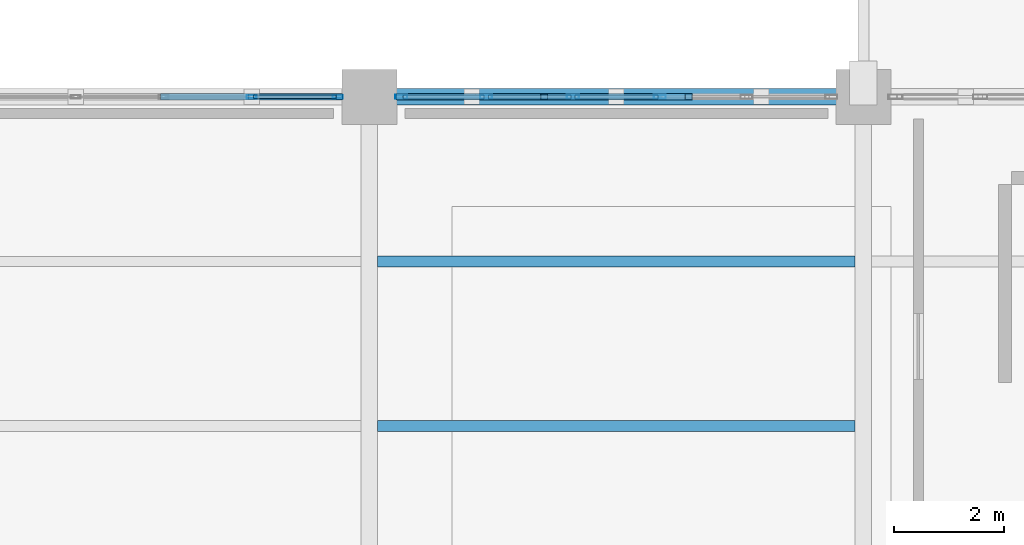
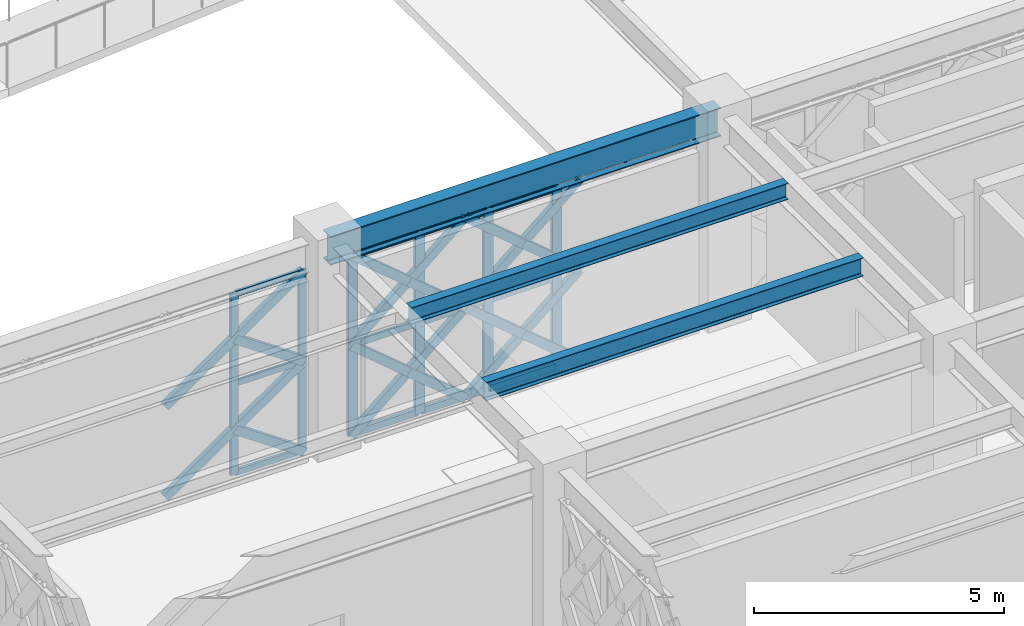
# One storey, part 14 of 140: 34 members, 3 beams, 2 elements without a shape of their own.
"""IFC4 building model written with IfcOpenShell, lengths in metres."""

import ifcopenshell
import ifcopenshell.guid

model = None  # the IFC model being written
_history = None  # IfcOwnerHistory: only IFC2X3 demands one
_inside = {}  # id of a spatial element -> (the spatial element, [elements in it])
_under = {}  # id of a project, library or spatial element -> (it, [spatial elements below it])
_declared = {}  # id of a project -> (the project, [libraries it declares])
_typed = {}  # id of a type object -> (the type object, [elements of that type])
_made_of = {}  # id of a material, layer set ... -> (it, [elements and type objects made of it])


def new_model(schema):
    """Start an empty IFC model of exactly this schema.

    Asked for "IFC4X3", IfcOpenShell would pick the latest addendum, in which some entities
    have other attributes; the version numbers below select the first issue.
    IFC2X3 requires an IfcOwnerHistory on every rooted entity: one is made here for all.
    """
    global model, _history
    if schema == "IFC4X3":
        model = ifcopenshell.file(schema_version=(4, 3, 0, 0))
    else:
        model = ifcopenshell.file(schema=schema)
    _inside.clear()
    _under.clear()
    _declared.clear()
    _typed.clear()
    _made_of.clear()
    _history = None
    if model.schema == "IFC2X3":
        org = make("IfcOrganization", Name="unknown")
        user = make(
            "IfcPersonAndOrganization",
            ThePerson=make("IfcPerson", FamilyName="unknown"),
            TheOrganization=org,
        )
        app = make(
            "IfcApplication",
            ApplicationDeveloper=org,
            Version="unknown",
            ApplicationFullName="unknown",
            ApplicationIdentifier="unknown",
        )
        _history = make(
            "IfcOwnerHistory",
            OwningUser=user,
            OwningApplication=app,
            ChangeAction="ADDED",
            CreationDate=0,
        )
    return model


def make(cls, **values):
    """One entity of the class cls with the attributes given. An attribute that is None is left unset."""
    return model.create_entity(
        cls, **{name: value for name, value in values.items() if value is not None}
    )


def rooted(cls, **values):
    """An entity with a GlobalId (a new one), such as an element, a storey or a relation."""
    return make(cls, GlobalId=ifcopenshell.guid.new(), OwnerHistory=_history, **values)


def si_unit(unit_type, name, prefix=None):
    """IfcSIUnit, for example si_unit("LENGTHUNIT", "METRE", prefix="MILLI")."""
    return make("IfcSIUnit", UnitType=unit_type, Prefix=prefix, Name=name)


def assignment(units):
    """IfcUnitAssignment: the units of a project."""
    return None if units is None else make("IfcUnitAssignment", Units=units)


def point(xyz):
    """IfcCartesianPoint."""
    return None if xyz is None else make("IfcCartesianPoint", Coordinates=xyz)


def direction(xyz):
    """IfcDirection."""
    return None if xyz is None else make("IfcDirection", DirectionRatios=xyz)


def frame(location, z_axis=None, x_axis=None):
    """IfcAxis2Placement3D, a coordinate frame: its origin and axes. An axis left out is left unset."""
    return make(
        "IfcAxis2Placement3D",
        Location=point(location),
        Axis=direction(z_axis),
        RefDirection=direction(x_axis),
    )


def frame_2d(location, x_axis=None):
    """IfcAxis2Placement2D, a coordinate frame in the plane: its origin and x axis."""
    return make(
        "IfcAxis2Placement2D", Location=point(location), RefDirection=direction(x_axis)
    )


def origin():
    """The frame at (0, 0, 0) with its axes left unset."""
    return frame((0.0, 0.0, 0.0))


def origin_2d():
    """The frame at (0, 0) in the plane with its x axis left unset."""
    return frame_2d((0.0, 0.0))


def place(relative_to, where):
    """IfcLocalPlacement: puts the frame where relative to a parent placement (None: the world)."""
    return make(
        "IfcLocalPlacement", PlacementRelTo=relative_to, RelativePlacement=where
    )


def context(
    kind, dimensions, precision=None, world=None, true_north=None, identifier=None
):
    """IfcGeometricRepresentationContext, for example the 3D "Model" context."""
    return make(
        "IfcGeometricRepresentationContext",
        ContextIdentifier=identifier,
        ContextType=kind,
        CoordinateSpaceDimension=dimensions,
        Precision=precision,
        WorldCoordinateSystem=world,
        TrueNorth=true_north,
    )


def subcontext(parent, identifier, kind, view, scale=None):
    """IfcGeometricRepresentationSubContext, for example "Body" below "Model"."""
    return make(
        "IfcGeometricRepresentationSubContext",
        ContextIdentifier=identifier,
        ContextType=kind,
        ParentContext=parent,
        TargetScale=scale,
        TargetView=view,
    )


def project(units=None, contexts=None):
    """IfcProject with its units and contexts."""
    return rooted(
        "IfcProject",
        Name="project",
        RepresentationContexts=contexts,
        UnitsInContext=assignment(units),
    )


def spatial(cls, under=None, at=None, **own):
    """A site, building, storey or space (cls), placed at a placement, below another one or the project."""
    s = rooted(cls, ObjectPlacement=at, **own)
    if under is not None:
        _under.setdefault(under.id(), (under, []))[1].append(s)
    return s


def profile(cls, at=None, kind="AREA", **sizes):
    """A parametric profile (cls). Its sizes go by their IFC names, for example OverallWidth=200.0."""
    return make(cls, ProfileType=kind, Position=at, **sizes)


def hollow_rectangle(**sizes):
    """IfcRectangleHollowProfileDef."""
    return profile("IfcRectangleHollowProfileDef", **sizes)


def i_section(**sizes):
    """IfcIShapeProfileDef."""
    return profile("IfcIShapeProfileDef", **sizes)


def extrude(swept, where, along, depth):
    """IfcExtrudedAreaSolid: the profile swept, set in the frame where, extruded along a direction by depth."""
    return make(
        "IfcExtrudedAreaSolid",
        SweptArea=swept,
        Position=where,
        ExtrudedDirection=direction(along),
        Depth=depth,
    )


def shape(context_of_items, identifier, shape_type, items):
    """IfcShapeRepresentation: the items that make up one representation, for example the "Body"."""
    return make(
        "IfcShapeRepresentation",
        ContextOfItems=context_of_items,
        RepresentationIdentifier=identifier,
        RepresentationType=shape_type,
        Items=items,
    )


def material(Name=None, Category=None):
    """IfcMaterial."""
    return make("IfcMaterial", Name=Name, Category=Category)


def material_profile(
    of_material, cross_section, Name=None, Category=None, Priority=None
):
    """IfcMaterialProfile: a cross section and its material."""
    return make(
        "IfcMaterialProfile",
        Name=Name,
        Material=of_material,
        Profile=cross_section,
        Priority=Priority,
        Category=Category,
    )


def profile_set(profiles, Name=None, composite=None):
    """IfcMaterialProfileSet."""
    return make(
        "IfcMaterialProfileSet",
        Name=Name,
        MaterialProfiles=profiles,
        CompositeProfile=composite,
    )


def made_of(thing, what):
    """Note that an element or type object is made of a material, layer set ...; save() writes the relation."""
    if what is not None:
        _made_of.setdefault(what.id(), (what, []))[1].append(thing)
    return thing


def type_object(cls, material=None, **own):
    """A type object (cls), such as IfcWallType, which elements share."""
    return made_of(rooted(cls, **own), material)


def element(
    cls,
    number,
    at=None,
    inside=None,
    cuts=None,
    type_object=None,
    material=None,
    context=None,
    identifier="Body",
    shape_type=None,
    held_by="IfcProductDefinitionShape",
    body=None,
    shapes=None,
    **own,
):
    """One element of the class cls, such as IfcWall. Its Tag is "e" and its number.

    at: its placement. inside: the storey or other place that contains it. cuts: it is an
    opening in that element (IfcRelVoidsElement). A single representation is given by context,
    identifier, shape_type and body (its items); several are given by shapes. held_by: the class
    of the entity that holds the representations. save() writes the other relations.
    """
    e = rooted(cls, Tag="e%d" % number, ObjectPlacement=at, **own)
    if body is not None:
        shapes = [shape(context, identifier, shape_type, body)]
    if shapes is not None:
        e.Representation = make(held_by, Representations=shapes)
    if inside is not None:
        _inside.setdefault(inside.id(), (inside, []))[1].append(e)
    if cuts is not None:
        rooted(
            "IfcRelVoidsElement", RelatingBuildingElement=cuts, RelatedOpeningElement=e
        )
    if type_object is not None:
        _typed.setdefault(type_object.id(), (type_object, []))[1].append(e)
    return made_of(e, material)


def aggregate(whole, parts):
    """IfcRelAggregates: a whole, such as a stair, and the parts it consists of."""
    return rooted("IfcRelAggregates", RelatingObject=whole, RelatedObjects=parts)


def save(model, path):
    """Write the relations noted so far, then the file.

    IfcRelAggregates (storeys below a building ...), IfcRelContainedInSpatialStructure (elements
    in a storey), IfcRelDefinesByType, IfcRelAssociatesMaterial and IfcRelDeclares: one each for
    every whole, place, type object, material and project.
    """
    for whole, parts in _under.values():
        aggregate(whole, parts)
    for where, things in _inside.values():
        rooted(
            "IfcRelContainedInSpatialStructure",
            RelatedElements=things,
            RelatingStructure=where,
        )
    for kind, things in _typed.values():
        rooted("IfcRelDefinesByType", RelatedObjects=things, RelatingType=kind)
    for what, things in _made_of.values():
        rooted("IfcRelAssociatesMaterial", RelatedObjects=things, RelatingMaterial=what)
    for by, libraries in _declared.values():
        rooted("IfcRelDeclares", RelatingContext=by, RelatedDefinitions=libraries)
    model.write(path)


model = new_model("IFC4")

# Units and contexts
model_context = context("Model", 3, precision=1e-05, world=origin(), true_north=direction((0.0, 1.0)))
body_context = subcontext(model_context, "Body", "Model", "MODEL_VIEW")
ifc_project = project(units=[si_unit("LENGTHUNIT", "METRE"), si_unit("AREAUNIT", "SQUARE_METRE"), si_unit("VOLUMEUNIT", "CUBIC_METRE"), si_unit("PLANEANGLEUNIT", "RADIAN"), si_unit("MASSUNIT", "GRAM", prefix="KILO")], contexts=[model_context])

# Site, building, storey
site_placement = place(None, origin())
site = spatial("IfcSite", under=ifc_project, at=site_placement, CompositionType="ELEMENT")
building_placement = place(site_placement, origin())
building = spatial("IfcBuilding", under=site, at=building_placement, Name="Haizhuo Lancet Aquarium", CompositionType="ELEMENT")
storey_placement = place(building_placement, origin())
storey = spatial("IfcBuildingStorey", under=building, at=storey_placement, Name="L00", CompositionType="ELEMENT", Elevation=0.0)

# Beam
ifc_material_1 = material(Name="Steel S355", Category="steel")
ifc_material_profile_1 = material_profile(ifc_material_1, i_section(OverallWidth=0.300048828125, OverallDepth=0.699951171875, WebThickness=0.012939453125, FlangeThickness=0.02392578125, FilletRadius=0.02587890625, at=origin_2d()), Name="HN 700x300x13x24")
ifc_profile_set_1 = profile_set([ifc_material_profile_1], Name="Steel S355")
beam_type_1 = type_object("IfcBeamType", Name="BM-ST-HN700", PredefinedType="BEAM", material=ifc_profile_set_1)
beam_1_placement = place(storey_placement, frame((-72.0, -9.0, 4.77001953125), z_axis=(1.0, 0.0, 0.0), x_axis=(0.0, 1.0, 0.0)))
element("IfcBeam", 1, at=beam_1_placement, inside=storey, type_object=beam_type_1, Name="L00 V6 primary girder BM-L00-V6-008", PredefinedType="BEAM", context=body_context, shape_type="SweptSolid", body=[
    extrude(i_section(OverallWidth=0.300048828125, OverallDepth=0.699951171875, WebThickness=0.012939453125, FlangeThickness=0.02392578125, FilletRadius=0.02587890625, at=origin_2d()), origin(), (0.0, 0.0, 1.0), 9.0),
])

# Curtain wall, members
ifc_material_2 = material(Name="Aluminium 6063-T6", Category="aluminium")
curtain_wall_type_1 = type_object("IfcCurtainWallType", Name="CWO-9610x4420", PredefinedType="NOTDEFINED", material=ifc_material_2)
curtain_wall_1_placement = place(storey_placement, origin())
curtain_wall_1 = element("IfcCurtainWall", 2, at=curtain_wall_1_placement, inside=storey, type_object=curtain_wall_type_1, Name="L00 curtain wall CW-V6-L00-193", PredefinedType="NOTDEFINED")
ifc_material_profile_2 = material_profile(ifc_material_2, hollow_rectangle(XDim=0.06494140625, YDim=0.179931640625, WallThickness=0.00390625, at=origin_2d()), Name="ALU-M 65x180x4")
ifc_profile_set_2 = profile_set([ifc_material_profile_2], Name="Aluminium 6063-T6")
member_type_1 = type_object("IfcMemberType", Name="CW-MUL-1", PredefinedType="MULLION", material=ifc_profile_set_2)
member_1_placement = place(storey_placement, frame((-74.14697265625, -9.0, 0.0), z_axis=(0.0, 0.0, 1.0), x_axis=(0.0, 1.0, 0.0)))
member_1 = element("IfcMember", 3, at=member_1_placement, type_object=member_type_1, Name="CWO-96x44 mullion 6", PredefinedType="MULLION", context=body_context, shape_type="SweptSolid", body=[
    extrude(hollow_rectangle(XDim=0.06494140625, YDim=0.179931640625, WallThickness=0.00390625, at=origin_2d()), origin(), (0.0, 0.0, 1.0), 4.419921875),
])
member_2_placement = place(storey_placement, frame((-72.577880859375, -9.0, 0.0), z_axis=(0.0, 0.0, 1.0), x_axis=(0.0, 1.0, 0.0)))
member_2 = element("IfcMember", 4, at=member_2_placement, type_object=member_type_1, Name="CWO-96x44 mullion 7", PredefinedType="MULLION", context=body_context, shape_type="SweptSolid", body=[
    extrude(hollow_rectangle(XDim=0.06494140625, YDim=0.179931640625, WallThickness=0.00390625, at=origin_2d()), origin(), (0.0, 0.0, 1.0), 4.419921875),
])

curtain_wall_type_2 = type_object("IfcCurtainWallType", Name="CWO-7910x4420", PredefinedType="NOTDEFINED", material=ifc_material_2)
curtain_wall_2_placement = place(storey_placement, origin())
curtain_wall_2 = element("IfcCurtainWall", 5, at=curtain_wall_2_placement, inside=storey, type_object=curtain_wall_type_2, Name="L00 curtain wall CW-V6-L00-194", PredefinedType="NOTDEFINED")
ifc_material_profile_3 = material_profile(ifc_material_2, hollow_rectangle(XDim=0.074951171875, YDim=0.219970703125, WallThickness=0.0048828125, at=origin_2d()), Name="ALU-M 75x220x5")
ifc_profile_set_3 = profile_set([ifc_material_profile_3], Name="Aluminium 6063-T6")
member_type_2 = type_object("IfcMemberType", Name="CW-MUL-2", PredefinedType="MULLION", material=ifc_profile_set_3)
member_3_placement = place(storey_placement, frame((-71.41796875, -9.0, 0.0), z_axis=(0.0, 0.0, 1.0), x_axis=(0.0, 1.0, 0.0)))
member_3 = element("IfcMember", 6, at=member_3_placement, type_object=member_type_2, Name="CWO-79x44 mullion 1", PredefinedType="MULLION", context=body_context, shape_type="SweptSolid", body=[
    extrude(hollow_rectangle(XDim=0.074951171875, YDim=0.219970703125, WallThickness=0.0048828125, at=origin_2d()), origin(), (0.0, 0.0, 1.0), 4.419921875),
])
member_4_placement = place(storey_placement, frame((-69.873046875, -9.0, 0.0), z_axis=(0.0, 0.0, 1.0), x_axis=(0.0, 1.0, 0.0)))
member_4 = element("IfcMember", 7, at=member_4_placement, type_object=member_type_2, Name="CWO-79x44 mullion 2", PredefinedType="MULLION", context=body_context, shape_type="SweptSolid", body=[
    extrude(hollow_rectangle(XDim=0.074951171875, YDim=0.219970703125, WallThickness=0.0048828125, at=origin_2d()), origin(), (0.0, 0.0, 1.0), 4.419921875),
])
member_5_placement = place(storey_placement, frame((-68.291015625, -9.0, 0.0), z_axis=(0.0, 0.0, 1.0), x_axis=(0.0, 1.0, 0.0)))
member_5 = element("IfcMember", 8, at=member_5_placement, type_object=member_type_2, Name="CWO-79x44 mullion 3", PredefinedType="MULLION", context=body_context, shape_type="SweptSolid", body=[
    extrude(hollow_rectangle(XDim=0.074951171875, YDim=0.219970703125, WallThickness=0.0048828125, at=origin_2d()), origin(), (0.0, 0.0, 1.0), 4.419921875),
])
member_6_placement = place(storey_placement, frame((-66.708984375, -9.0, 0.0), z_axis=(0.0, 0.0, 1.0), x_axis=(0.0, 1.0, 0.0)))
member_6 = element("IfcMember", 9, at=member_6_placement, type_object=member_type_2, Name="CWO-79x44 mullion 4", PredefinedType="MULLION", context=body_context, shape_type="SweptSolid", body=[
    extrude(hollow_rectangle(XDim=0.074951171875, YDim=0.219970703125, WallThickness=0.0048828125, at=origin_2d()), origin(), (0.0, 0.0, 1.0), 4.419921875),
])

# Member
ifc_material_profile_4 = material_profile(ifc_material_2, hollow_rectangle(XDim=0.06494140625, YDim=0.139892578125, WallThickness=0.00390625, at=origin_2d()), Name="ALU-T 65x140x4")
ifc_profile_set_4 = profile_set([ifc_material_profile_4], Name="Aluminium 6063-T6")
member_type_3 = type_object("IfcMemberType", Name="CW-TRN-1", PredefinedType="NOTDEFINED", material=ifc_profile_set_4)
member_7_placement = place(storey_placement, frame((-74.114013671875, -9.0, 0.032958984375), z_axis=(1.0, 0.0, 0.0), x_axis=(0.0, 1.0, 0.0)))
member_7 = element("IfcMember", 10, at=member_7_placement, type_object=member_type_3, Name="CWO-96x44 transom 6.1", ObjectType="TRANSOM", PredefinedType="USERDEFINED", context=body_context, shape_type="SweptSolid", body=[
    extrude(hollow_rectangle(XDim=0.06494140625, YDim=0.139892578125, WallThickness=0.00390625, at=origin_2d()), origin(), (0.0, 0.0, 1.0), 1.50390625),
])

member_8_placement = place(storey_placement, frame((-74.114013671875, -9.0, 2.2099609375), z_axis=(1.0, 0.0, 0.0), x_axis=(0.0, 1.0, 0.0)))
member_8 = element("IfcMember", 11, at=member_8_placement, type_object=member_type_3, Name="CWO-96x44 transom 6.2", ObjectType="TRANSOM", PredefinedType="USERDEFINED", context=body_context, shape_type="SweptSolid", body=[
    extrude(hollow_rectangle(XDim=0.06494140625, YDim=0.139892578125, WallThickness=0.00390625, at=origin_2d()), origin(), (0.0, 0.0, 1.0), 1.50390625),
])

member_9_placement = place(storey_placement, frame((-74.114013671875, -9.0, 4.387939453125), z_axis=(1.0, 0.0, 0.0), x_axis=(0.0, 1.0, 0.0)))
member_9 = element("IfcMember", 12, at=member_9_placement, type_object=member_type_3, Name="CWO-96x44 transom 6.3", ObjectType="TRANSOM", PredefinedType="USERDEFINED", context=body_context, shape_type="SweptSolid", body=[
    extrude(hollow_rectangle(XDim=0.06494140625, YDim=0.139892578125, WallThickness=0.00390625, at=origin_2d()), origin(), (0.0, 0.0, 1.0), 1.50390625),
])

aggregate(curtain_wall_1, [member_1, member_2, member_7, member_8, member_9])

ifc_material_profile_5 = material_profile(ifc_material_2, hollow_rectangle(XDim=0.074951171875, YDim=0.159912109375, WallThickness=0.00390625, at=origin_2d()), Name="ALU-T 75x160x4")
ifc_profile_set_5 = profile_set([ifc_material_profile_5], Name="Aluminium 6063-T6")
member_type_4 = type_object("IfcMemberType", Name="CW-TRN-2", PredefinedType="NOTDEFINED", material=ifc_profile_set_5)
member_10_placement = place(storey_placement, frame((-71.3798828125, -9.0, 0.037109375), z_axis=(1.0, 0.0, 0.0), x_axis=(0.0, 1.0, 0.0)))
member_10 = element("IfcMember", 13, at=member_10_placement, type_object=member_type_4, Name="CWO-79x44 transom 1.1", ObjectType="TRANSOM", PredefinedType="USERDEFINED", context=body_context, shape_type="SweptSolid", body=[
    extrude(hollow_rectangle(XDim=0.074951171875, YDim=0.159912109375, WallThickness=0.00390625, at=origin_2d()), origin(), (0.0, 0.0, 1.0), 1.469970703125),
])

member_11_placement = place(storey_placement, frame((-71.3798828125, -9.0, 2.2099609375), z_axis=(1.0, 0.0, 0.0), x_axis=(0.0, 1.0, 0.0)))
member_11 = element("IfcMember", 14, at=member_11_placement, type_object=member_type_4, Name="CWO-79x44 transom 1.2", ObjectType="TRANSOM", PredefinedType="USERDEFINED", context=body_context, shape_type="SweptSolid", body=[
    extrude(hollow_rectangle(XDim=0.074951171875, YDim=0.159912109375, WallThickness=0.00390625, at=origin_2d()), origin(), (0.0, 0.0, 1.0), 1.469970703125),
])

member_12_placement = place(storey_placement, frame((-71.3798828125, -9.0, 4.383056640625), z_axis=(1.0, 0.0, 0.0), x_axis=(0.0, 1.0, 0.0)))
member_12 = element("IfcMember", 15, at=member_12_placement, type_object=member_type_4, Name="CWO-79x44 transom 1.3", ObjectType="TRANSOM", PredefinedType="USERDEFINED", context=body_context, shape_type="SweptSolid", body=[
    extrude(hollow_rectangle(XDim=0.074951171875, YDim=0.159912109375, WallThickness=0.00390625, at=origin_2d()), origin(), (0.0, 0.0, 1.0), 1.469970703125),
])

member_13_placement = place(storey_placement, frame((-69.8349609375, -9.0, 0.037109375), z_axis=(1.0, 0.0, 0.0), x_axis=(0.0, 1.0, 0.0)))
member_13 = element("IfcMember", 16, at=member_13_placement, type_object=member_type_4, Name="CWO-79x44 transom 2.1", ObjectType="TRANSOM", PredefinedType="USERDEFINED", context=body_context, shape_type="SweptSolid", body=[
    extrude(hollow_rectangle(XDim=0.074951171875, YDim=0.159912109375, WallThickness=0.00390625, at=origin_2d()), origin(), (0.0, 0.0, 1.0), 1.505859375),
])

member_14_placement = place(storey_placement, frame((-69.8349609375, -9.0, 2.2099609375), z_axis=(1.0, 0.0, 0.0), x_axis=(0.0, 1.0, 0.0)))
member_14 = element("IfcMember", 17, at=member_14_placement, type_object=member_type_4, Name="CWO-79x44 transom 2.2", ObjectType="TRANSOM", PredefinedType="USERDEFINED", context=body_context, shape_type="SweptSolid", body=[
    extrude(hollow_rectangle(XDim=0.074951171875, YDim=0.159912109375, WallThickness=0.00390625, at=origin_2d()), origin(), (0.0, 0.0, 1.0), 1.505859375),
])

member_15_placement = place(storey_placement, frame((-69.8349609375, -9.0, 4.383056640625), z_axis=(1.0, 0.0, 0.0), x_axis=(0.0, 1.0, 0.0)))
member_15 = element("IfcMember", 18, at=member_15_placement, type_object=member_type_4, Name="CWO-79x44 transom 2.3", ObjectType="TRANSOM", PredefinedType="USERDEFINED", context=body_context, shape_type="SweptSolid", body=[
    extrude(hollow_rectangle(XDim=0.074951171875, YDim=0.159912109375, WallThickness=0.00390625, at=origin_2d()), origin(), (0.0, 0.0, 1.0), 1.505859375),
])

member_16_placement = place(storey_placement, frame((-68.25390625, -9.0, 0.037109375), z_axis=(1.0, 0.0, 0.0), x_axis=(0.0, 1.0, 0.0)))
member_16 = element("IfcMember", 19, at=member_16_placement, type_object=member_type_4, Name="CWO-79x44 transom 3.1", ObjectType="TRANSOM", PredefinedType="USERDEFINED", context=body_context, shape_type="SweptSolid", body=[
    extrude(hollow_rectangle(XDim=0.074951171875, YDim=0.159912109375, WallThickness=0.00390625, at=origin_2d()), origin(), (0.0, 0.0, 1.0), 1.5078125),
])

member_17_placement = place(storey_placement, frame((-68.25390625, -9.0, 2.2099609375), z_axis=(1.0, 0.0, 0.0), x_axis=(0.0, 1.0, 0.0)))
member_17 = element("IfcMember", 20, at=member_17_placement, type_object=member_type_4, Name="CWO-79x44 transom 3.2", ObjectType="TRANSOM", PredefinedType="USERDEFINED", context=body_context, shape_type="SweptSolid", body=[
    extrude(hollow_rectangle(XDim=0.074951171875, YDim=0.159912109375, WallThickness=0.00390625, at=origin_2d()), origin(), (0.0, 0.0, 1.0), 1.5078125),
])

member_18_placement = place(storey_placement, frame((-68.25390625, -9.0, 4.383056640625), z_axis=(1.0, 0.0, 0.0), x_axis=(0.0, 1.0, 0.0)))
member_18 = element("IfcMember", 21, at=member_18_placement, type_object=member_type_4, Name="CWO-79x44 transom 3.3", ObjectType="TRANSOM", PredefinedType="USERDEFINED", context=body_context, shape_type="SweptSolid", body=[
    extrude(hollow_rectangle(XDim=0.074951171875, YDim=0.159912109375, WallThickness=0.00390625, at=origin_2d()), origin(), (0.0, 0.0, 1.0), 1.5078125),
])

aggregate(curtain_wall_2, [member_3, member_4, member_5, member_6, member_10, member_11, member_12, member_13, member_14, member_15, member_16, member_17, member_18])

# Beams
ifc_material_profile_6 = material_profile(ifc_material_1, i_section(OverallWidth=0.199951171875, OverallDepth=0.39990234375, WebThickness=0.008056640625, FlangeThickness=0.012939453125, FilletRadius=0.01611328125, at=origin_2d()), Name="HN 400x200x8x13")
ifc_profile_set_6 = profile_set([ifc_material_profile_6], Name="Steel S355")
beam_type_2 = type_object("IfcBeamType", Name="JST-ST-HN400", PredefinedType="JOIST", material=ifc_profile_set_6)
beam_2_placement = place(storey_placement, frame((-71.85009765625, -12.0, 4.919921875), z_axis=(1.0, 0.0, 0.0), x_axis=(0.0, 1.0, 0.0)))
element("IfcBeam", 22, at=beam_2_placement, inside=storey, type_object=beam_type_2, Name="L00 V6 secondary floor joist 6", PredefinedType="JOIST", context=body_context, shape_type="SweptSolid", body=[
    extrude(i_section(OverallWidth=0.199951171875, OverallDepth=0.39990234375, WebThickness=0.008056640625, FlangeThickness=0.012939453125, FilletRadius=0.01611328125, at=origin_2d()), origin(), (0.0, 0.0, 1.0), 8.7001953125),
])
ifc_material_profile_7 = material_profile(ifc_material_1, i_section(OverallWidth=0.199951171875, OverallDepth=0.449951171875, WebThickness=0.009033203125, FlangeThickness=0.013916015625, FilletRadius=0.01806640625, at=origin_2d()), Name="HN 450x200x9x14")
ifc_profile_set_7 = profile_set([ifc_material_profile_7], Name="Steel S355")
beam_type_3 = type_object("IfcBeamType", Name="JST-ST-HN450", PredefinedType="JOIST", material=ifc_profile_set_7)
beam_3_placement = place(storey_placement, frame((-71.85009765625, -15.0, 4.89501953125), z_axis=(1.0, 0.0, 0.0), x_axis=(0.0, 1.0, 0.0)))
element("IfcBeam", 23, at=beam_3_placement, inside=storey, type_object=beam_type_3, Name="L00 V6 secondary floor joist 5", PredefinedType="JOIST", context=body_context, shape_type="SweptSolid", body=[
    extrude(i_section(OverallWidth=0.199951171875, OverallDepth=0.449951171875, WebThickness=0.009033203125, FlangeThickness=0.013916015625, FilletRadius=0.01806640625, at=origin_2d()), origin(), (0.0, 0.0, 1.0), 8.7001953125),
])

# Members
ifc_material_profile_8 = material_profile(ifc_material_1, hollow_rectangle(XDim=0.1201171875, YDim=0.199951171875, WallThickness=0.008056640625, at=origin_2d()), Name="RHS 120x200x8")
ifc_profile_set_8 = profile_set([ifc_material_profile_8], Name="Steel S355")
member_type_5 = type_object("IfcMemberType", Name="MEM-LB-RHS120x200", PredefinedType="BRACE", material=ifc_profile_set_8)
member_19_placement = place(storey_placement, frame((-75.748046875, -9.0, 0.0), z_axis=(0.823103575721, 0.0, 0.567891278005), x_axis=(0.0, 1.0, 0.0)))
element("IfcMember", 24, at=member_19_placement, inside=storey, type_object=member_type_5, Name="Gothic lancet continuous diagonal brace CW-V6-L00-193 5A", PredefinedType="BRACE", context=body_context, shape_type="SweptSolid", body=[
    extrude(hollow_rectangle(XDim=0.1201171875, YDim=0.199951171875, WallThickness=0.008056640625, at=origin_2d()), origin(), (0.0, 0.0, 1.0), 3.8916015625),
])
member_20_placement = place(storey_placement, frame((-72.544921875, -9.0, 0.0), z_axis=(-0.823184480933, 0.0, 0.56777399584), x_axis=(0.0, -1.0, 0.0)))
element("IfcMember", 25, at=member_20_placement, inside=storey, type_object=member_type_5, Name="Gothic lancet split diagonal brace CW-V6-L00-193 5B1", PredefinedType="BRACE", context=body_context, shape_type="SweptSolid", body=[
    extrude(hollow_rectangle(XDim=0.1201171875, YDim=0.199951171875, WallThickness=0.008056640625, at=origin_2d()), origin(), (0.0, 0.0, 1.0), 1.946044921875),
])
member_21_placement = place(storey_placement, frame((-75.748046875, -9.0, 2.2099609375), z_axis=(0.823103575721, 0.0, 0.567891278005), x_axis=(0.0, 1.0, 0.0)))
element("IfcMember", 26, at=member_21_placement, inside=storey, type_object=member_type_5, Name="Gothic lancet continuous diagonal brace CW-V6-L00-193 6A", PredefinedType="BRACE", context=body_context, shape_type="SweptSolid", body=[
    extrude(hollow_rectangle(XDim=0.1201171875, YDim=0.199951171875, WallThickness=0.008056640625, at=origin_2d()), origin(), (0.0, 0.0, 1.0), 3.8916015625),
])
member_22_placement = place(storey_placement, frame((-72.544921875, -9.0, 2.2099609375), z_axis=(-0.823184480933, 0.0, 0.56777399584), x_axis=(0.0, -1.0, 0.0)))
element("IfcMember", 27, at=member_22_placement, inside=storey, type_object=member_type_5, Name="Gothic lancet split diagonal brace CW-V6-L00-193 6B1", PredefinedType="BRACE", context=body_context, shape_type="SweptSolid", body=[
    extrude(hollow_rectangle(XDim=0.1201171875, YDim=0.199951171875, WallThickness=0.008056640625, at=origin_2d()), origin(), (0.0, 0.0, 1.0), 1.946044921875),
])
member_23_placement = place(storey_placement, frame((-71.455078125, -9.0, 0.0), z_axis=(0.766432673157, 0.0, 0.642324651182), x_axis=(0.0, 1.0, 0.0)))
element("IfcMember", 28, at=member_23_placement, inside=storey, type_object=member_type_5, Name="Gothic lancet continuous diagonal brace CW-V6-L00-194 1A", PredefinedType="BRACE", context=body_context, shape_type="SweptSolid", body=[
    extrude(hollow_rectangle(XDim=0.1201171875, YDim=0.199951171875, WallThickness=0.008056640625, at=origin_2d()), origin(), (0.0, 0.0, 1.0), 3.440673828125),
])
member_24_placement = place(storey_placement, frame((-68.818115234375, -9.0, 0.0), z_axis=(-0.766286230908, 0.0, 0.642499348109), x_axis=(0.0, -1.0, 0.0)))
element("IfcMember", 29, at=member_24_placement, inside=storey, type_object=member_type_5, Name="Gothic lancet split diagonal brace CW-V6-L00-194 1B1", PredefinedType="BRACE", context=body_context, shape_type="SweptSolid", body=[
    extrude(hollow_rectangle(XDim=0.1201171875, YDim=0.199951171875, WallThickness=0.008056640625, at=origin_2d()), origin(), (0.0, 0.0, 1.0), 1.7197265625),
])
member_25_placement = place(storey_placement, frame((-70.135986328125, -9.0, 1.10498046875), z_axis=(-0.76657899599, 0.0, 0.64215001589), x_axis=(0.0, -1.0, 0.0)))
element("IfcMember", 30, at=member_25_placement, inside=storey, type_object=member_type_5, Name="Gothic lancet split diagonal brace CW-V6-L00-194 1B2", PredefinedType="BRACE", context=body_context, shape_type="SweptSolid", body=[
    extrude(hollow_rectangle(XDim=0.1201171875, YDim=0.199951171875, WallThickness=0.008056640625, at=origin_2d()), origin(), (0.0, 0.0, 1.0), 1.720703125),
])
member_26_placement = place(storey_placement, frame((-71.455078125, -9.0, 2.2099609375), z_axis=(0.766432673157, 0.0, 0.642324651182), x_axis=(0.0, 1.0, 0.0)))
element("IfcMember", 31, at=member_26_placement, inside=storey, type_object=member_type_5, Name="Gothic lancet continuous diagonal brace CW-V6-L00-194 2A", PredefinedType="BRACE", context=body_context, shape_type="SweptSolid", body=[
    extrude(hollow_rectangle(XDim=0.1201171875, YDim=0.199951171875, WallThickness=0.008056640625, at=origin_2d()), origin(), (0.0, 0.0, 1.0), 3.440673828125),
])
member_27_placement = place(storey_placement, frame((-68.818115234375, -9.0, 2.2099609375), z_axis=(-0.766286230908, 0.0, 0.642499348109), x_axis=(0.0, -1.0, 0.0)))
element("IfcMember", 32, at=member_27_placement, inside=storey, type_object=member_type_5, Name="Gothic lancet split diagonal brace CW-V6-L00-194 2B1", PredefinedType="BRACE", context=body_context, shape_type="SweptSolid", body=[
    extrude(hollow_rectangle(XDim=0.1201171875, YDim=0.199951171875, WallThickness=0.008056640625, at=origin_2d()), origin(), (0.0, 0.0, 1.0), 1.7197265625),
])
member_28_placement = place(storey_placement, frame((-70.135986328125, -9.0, 3.31494140625), z_axis=(-0.76657899599, 0.0, 0.64215001589), x_axis=(0.0, -1.0, 0.0)))
element("IfcMember", 33, at=member_28_placement, inside=storey, type_object=member_type_5, Name="Gothic lancet split diagonal brace CW-V6-L00-194 2B2", PredefinedType="BRACE", context=body_context, shape_type="SweptSolid", body=[
    extrude(hollow_rectangle(XDim=0.1201171875, YDim=0.199951171875, WallThickness=0.008056640625, at=origin_2d()), origin(), (0.0, 0.0, 1.0), 1.720703125),
])
member_29_placement = place(storey_placement, frame((-68.818115234375, -9.0, 0.0), z_axis=(0.766344822145, 0.0, 0.642429461943), x_axis=(0.0, 1.0, 0.0)))
element("IfcMember", 34, at=member_29_placement, inside=storey, type_object=member_type_5, Name="Gothic lancet continuous diagonal brace CW-V6-L00-194 3A", PredefinedType="BRACE", context=body_context, shape_type="SweptSolid", body=[
    extrude(hollow_rectangle(XDim=0.1201171875, YDim=0.199951171875, WallThickness=0.008056640625, at=origin_2d()), origin(), (0.0, 0.0, 1.0), 3.43994140625),
])
for number, where, z_axis, x_axis, name in (
    (35, (-66.181884765625, -9.0, 0.0), (-0.766344822145, 0.0, 0.642429461943), (0.0, -1.0, 0.0), "Gothic lancet split diagonal brace CW-V6-L00-194 3B1"),
    (36, (-67.5, -9.0, 1.10498046875), (-0.766344822145, 0.0, 0.642429461943), (0.0, -1.0, 0.0), "Gothic lancet split diagonal brace CW-V6-L00-194 3B2"),
):
    element("IfcMember", number, at=place(storey_placement, frame(where, z_axis=z_axis, x_axis=x_axis)), inside=storey, type_object=member_type_5, Name=name, PredefinedType="BRACE", context=body_context, shape_type="SweptSolid", body=[
        extrude(hollow_rectangle(XDim=0.1201171875, YDim=0.199951171875, WallThickness=0.008056640625, at=origin_2d()), origin(), (0.0, 0.0, 1.0), 1.719970703125),
    ])
member_30_placement = place(storey_placement, frame((-68.818115234375, -9.0, 2.2099609375), z_axis=(0.766344822145, 0.0, 0.642429461943), x_axis=(0.0, 1.0, 0.0)))
element("IfcMember", 37, at=member_30_placement, inside=storey, type_object=member_type_5, Name="Gothic lancet continuous diagonal brace CW-V6-L00-194 4A", PredefinedType="BRACE", context=body_context, shape_type="SweptSolid", body=[
    extrude(hollow_rectangle(XDim=0.1201171875, YDim=0.199951171875, WallThickness=0.008056640625, at=origin_2d()), origin(), (0.0, 0.0, 1.0), 3.43994140625),
])
for number, where, z_axis, x_axis, name in (
    (38, (-66.181884765625, -9.0, 2.2099609375), (-0.766344822145, 0.0, 0.642429461943), (0.0, -1.0, 0.0), "Gothic lancet split diagonal brace CW-V6-L00-194 4B1"),
    (39, (-67.5, -9.0, 3.31494140625), (-0.766344822145, 0.0, 0.642429461943), (0.0, -1.0, 0.0), "Gothic lancet split diagonal brace CW-V6-L00-194 4B2"),
):
    element("IfcMember", number, at=place(storey_placement, frame(where, z_axis=z_axis, x_axis=x_axis)), inside=storey, type_object=member_type_5, Name=name, PredefinedType="BRACE", context=body_context, shape_type="SweptSolid", body=[
        extrude(hollow_rectangle(XDim=0.1201171875, YDim=0.199951171875, WallThickness=0.008056640625, at=origin_2d()), origin(), (0.0, 0.0, 1.0), 1.719970703125),
    ])

save(model, "model.ifc")
